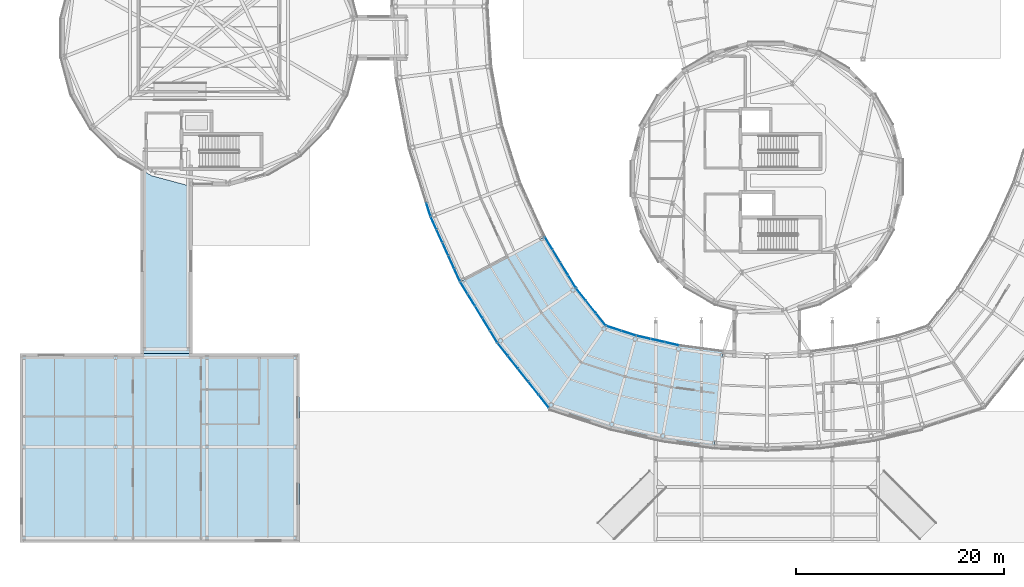
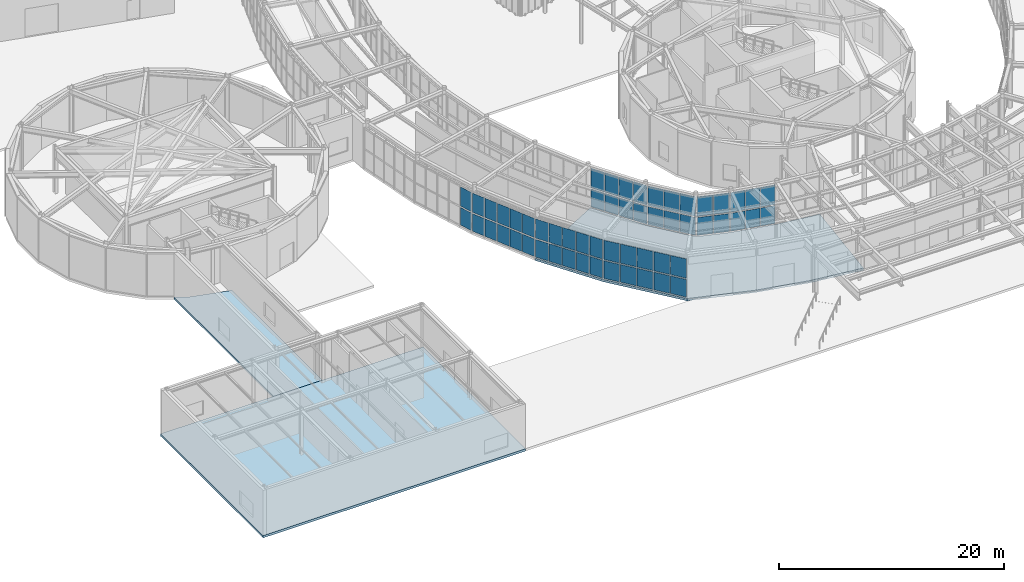
# One storey, part 55 of 97: 56 plates, 3 slabs, 8 elements without a shape of their own.
"""IFC4 building model written with IfcOpenShell, lengths in metres."""

from ifc_helpers import new_model, si_unit, direction, frame, origin, origin_2d, place, context, subcontext, project, spatial, polyline, rectangle, outline, extrude, material, layer, layer_set, type_object, element, aggregate, save


model = new_model("IFC4")

# Units and contexts
model_context = context("Model", 3, precision=1e-05, world=origin(), true_north=direction((0.0, 1.0)))
body_context = subcontext(model_context, "Body", "Model", "MODEL_VIEW")
ifc_project = project(units=[si_unit("LENGTHUNIT", "METRE"), si_unit("AREAUNIT", "SQUARE_METRE"), si_unit("VOLUMEUNIT", "CUBIC_METRE"), si_unit("PLANEANGLEUNIT", "RADIAN"), si_unit("MASSUNIT", "GRAM", prefix="KILO")], contexts=[model_context])

# Site, building, storey
site_placement = place(None, origin())
site = spatial("IfcSite", under=ifc_project, at=site_placement, CompositionType="ELEMENT")
building_placement = place(site_placement, origin())
building = spatial("IfcBuilding", under=site, at=building_placement, Name="Varnklinge Art Gallery", CompositionType="ELEMENT")
storey_placement = place(building_placement, origin())
storey = spatial("IfcBuildingStorey", under=building, at=storey_placement, Name="L00", CompositionType="ELEMENT", Elevation=0.0)

# Curtain wall, plates
ifc_material_1 = material(Name="Anodised Aluminium", Category="aluminium")
curtain_wall_type_1 = type_object("IfcCurtainWallType", Name="CW-R03", PredefinedType="USERDEFINED", material=ifc_material_1)
curtain_wall_1_placement = place(storey_placement, origin())
curtain_wall_1 = element("IfcCurtainWall", 1, at=curtain_wall_1_placement, inside=storey, type_object=curtain_wall_type_1, Name="L00 Curtain Wall CW-V2I-L00-31", ObjectType="UNITISED CURTAIN WALL", PredefinedType="USERDEFINED")
ifc_material_2 = material(Name="Insulated Low-E Triple Glazing", Category="glass")
ifc_layer_1 = layer(ifc_material_2, 0.031982421875)
ifc_layer_set_1 = layer_set([ifc_layer_1], Name="Insulated Low-E Triple Glazing")
plate_type_1 = type_object("IfcPlateType", Name="GLZ-32", PredefinedType="CURTAIN_PANEL", material=ifc_layer_set_1)
plate_1_placement = place(storey_placement, frame((56.740478515625, 28.524658203125, 0.1181640625), z_axis=(0.0, 0.0, 1.0), x_axis=(-0.520860651188, 0.85364171761, 0.0)))
plate_1 = element("IfcPlate", 2, at=plate_1_placement, type_object=plate_type_1, Name="CW-V2I-L00-31 Glazing Panel 1.1", PredefinedType="CURTAIN_PANEL", context=body_context, shape_type="SweptSolid", body=[
    extrude(rectangle(XDim=1.355712890625, YDim=0.031982421875, at=origin_2d()), origin(), (0.0, 0.0, 1.0), 1.950439453125),
])
plate_2_placement = place(storey_placement, frame((56.740478515625, 28.524658203125, 2.1845703125), z_axis=(0.0, 0.0, 1.0), x_axis=(-0.520860651188, 0.85364171761, 0.0)))
plate_2 = element("IfcPlate", 3, at=plate_2_placement, type_object=plate_type_1, Name="CW-V2I-L00-31 Glazing Panel 1.2", PredefinedType="CURTAIN_PANEL", context=body_context, shape_type="SweptSolid", body=[
    extrude(rectangle(XDim=1.355712890625, YDim=0.031982421875, at=origin_2d()), origin(), (0.0, 0.0, 1.0), 2.127685546875),
])
plate_3_placement = place(storey_placement, frame((55.997314453125, 29.742431640625, 0.1181640625), z_axis=(0.0, 0.0, 1.0), x_axis=(-0.520860651188, 0.85364171761, 0.0)))
plate_3 = element("IfcPlate", 4, at=plate_3_placement, type_object=plate_type_1, Name="CW-V2I-L00-31 Glazing Panel 2.1", PredefinedType="CURTAIN_PANEL", context=body_context, shape_type="SweptSolid", body=[
    extrude(rectangle(XDim=1.3857421875, YDim=0.031982421875, at=origin_2d()), origin(), (0.0, 0.0, 1.0), 1.950439453125),
])
plate_4_placement = place(storey_placement, frame((55.997314453125, 29.742431640625, 2.1845703125), z_axis=(0.0, 0.0, 1.0), x_axis=(-0.520860651188, 0.85364171761, 0.0)))
plate_4 = element("IfcPlate", 5, at=plate_4_placement, type_object=plate_type_1, Name="CW-V2I-L00-31 Glazing Panel 2.2", PredefinedType="CURTAIN_PANEL", context=body_context, shape_type="SweptSolid", body=[
    extrude(rectangle(XDim=1.3857421875, YDim=0.031982421875, at=origin_2d()), origin(), (0.0, 0.0, 1.0), 2.127685546875),
])
plate_5_placement = place(storey_placement, frame((55.246337890625, 30.97314453125, 0.1181640625), z_axis=(0.0, 0.0, 1.0), x_axis=(-0.520860651188, 0.85364171761, 0.0)))
plate_5 = element("IfcPlate", 6, at=plate_5_placement, type_object=plate_type_1, Name="CW-V2I-L00-31 Glazing Panel 3.1", PredefinedType="CURTAIN_PANEL", context=body_context, shape_type="SweptSolid", body=[
    extrude(rectangle(XDim=1.3857421875, YDim=0.031982421875, at=origin_2d()), origin(), (0.0, 0.0, 1.0), 1.950439453125),
])
plate_6_placement = place(storey_placement, frame((55.246337890625, 30.97314453125, 2.1845703125), z_axis=(0.0, 0.0, 1.0), x_axis=(-0.520860651188, 0.85364171761, 0.0)))
plate_6 = element("IfcPlate", 7, at=plate_6_placement, type_object=plate_type_1, Name="CW-V2I-L00-31 Glazing Panel 3.2", PredefinedType="CURTAIN_PANEL", context=body_context, shape_type="SweptSolid", body=[
    extrude(rectangle(XDim=1.3857421875, YDim=0.031982421875, at=origin_2d()), origin(), (0.0, 0.0, 1.0), 2.127685546875),
])
plate_7_placement = place(storey_placement, frame((54.503173828125, 32.19091796875, 0.1181640625), z_axis=(0.0, 0.0, 1.0), x_axis=(-0.520860651188, 0.85364171761, 0.0)))
plate_7 = element("IfcPlate", 8, at=plate_7_placement, type_object=plate_type_1, Name="CW-V2I-L00-31 Glazing Panel 4.1", PredefinedType="CURTAIN_PANEL", context=body_context, shape_type="SweptSolid", body=[
    extrude(rectangle(XDim=1.355712890625, YDim=0.031982421875, at=origin_2d()), origin(), (0.0, 0.0, 1.0), 1.950439453125),
])
plate_8_placement = place(storey_placement, frame((54.503173828125, 32.19091796875, 2.1845703125), z_axis=(0.0, 0.0, 1.0), x_axis=(-0.520860651188, 0.85364171761, 0.0)))
plate_8 = element("IfcPlate", 9, at=plate_8_placement, type_object=plate_type_1, Name="CW-V2I-L00-31 Glazing Panel 4.2", PredefinedType="CURTAIN_PANEL", context=body_context, shape_type="SweptSolid", body=[
    extrude(rectangle(XDim=1.355712890625, YDim=0.031982421875, at=origin_2d()), origin(), (0.0, 0.0, 1.0), 2.127685546875),
])
aggregate(curtain_wall_1, [plate_1, plate_2, plate_3, plate_4, plate_5, plate_6, plate_7, plate_8])

curtain_wall_2_placement = place(storey_placement, origin())
curtain_wall_2 = element("IfcCurtainWall", 10, at=curtain_wall_2_placement, inside=storey, type_object=curtain_wall_type_1, Name="L00 Curtain Wall CW-V2I-L00-32", ObjectType="UNITISED CURTAIN WALL", PredefinedType="USERDEFINED")
plate_9_placement = place(storey_placement, frame((59.52294921875, 24.866455078125, 0.1181640625), z_axis=(0.0, 0.0, 1.0), x_axis=(-0.620737354217, 0.784018582101, 0.0)))
plate_9 = element("IfcPlate", 11, at=plate_9_placement, type_object=plate_type_1, Name="CW-V2I-L00-32 Glazing Panel 1.1", PredefinedType="CURTAIN_PANEL", context=body_context, shape_type="SweptSolid", body=[
    extrude(rectangle(XDim=1.4658203125, YDim=0.031982421875, at=origin_2d()), origin(), (0.0, 0.0, 1.0), 1.950439453125),
])
plate_10_placement = place(storey_placement, frame((59.52294921875, 24.866455078125, 2.1845703125), z_axis=(0.0, 0.0, 1.0), x_axis=(-0.620737354217, 0.784018582101, 0.0)))
plate_10 = element("IfcPlate", 12, at=plate_10_placement, type_object=plate_type_1, Name="CW-V2I-L00-32 Glazing Panel 1.2", PredefinedType="CURTAIN_PANEL", context=body_context, shape_type="SweptSolid", body=[
    extrude(rectangle(XDim=1.4658203125, YDim=0.031982421875, at=origin_2d()), origin(), (0.0, 0.0, 1.0), 2.127685546875),
])
plate_11_placement = place(storey_placement, frame((58.569091796875, 26.0712890625, 0.1181640625), z_axis=(0.0, 0.0, 1.0), x_axis=(-0.620737354217, 0.784018582101, 0.0)))
plate_11 = element("IfcPlate", 13, at=plate_11_placement, type_object=plate_type_1, Name="CW-V2I-L00-32 Glazing Panel 2.1", PredefinedType="CURTAIN_PANEL", context=body_context, shape_type="SweptSolid", body=[
    extrude(rectangle(XDim=1.495849609375, YDim=0.031982421875, at=origin_2d()), origin(), (0.0, 0.0, 1.0), 1.950439453125),
])
plate_12_placement = place(storey_placement, frame((58.569091796875, 26.0712890625, 2.1845703125), z_axis=(0.0, 0.0, 1.0), x_axis=(-0.620737354217, 0.784018582101, 0.0)))
plate_12 = element("IfcPlate", 14, at=plate_12_placement, type_object=plate_type_1, Name="CW-V2I-L00-32 Glazing Panel 2.2", PredefinedType="CURTAIN_PANEL", context=body_context, shape_type="SweptSolid", body=[
    extrude(rectangle(XDim=1.495849609375, YDim=0.031982421875, at=origin_2d()), origin(), (0.0, 0.0, 1.0), 2.127685546875),
])
plate_13_placement = place(storey_placement, frame((57.614990234375, 27.2763671875, 0.1181640625), z_axis=(0.0, 0.0, 1.0), x_axis=(-0.620737354217, 0.784018582101, 0.0)))
plate_13 = element("IfcPlate", 15, at=plate_13_placement, type_object=plate_type_1, Name="CW-V2I-L00-32 Glazing Panel 3.1", PredefinedType="CURTAIN_PANEL", context=body_context, shape_type="SweptSolid", body=[
    extrude(rectangle(XDim=1.4658203125, YDim=0.031982421875, at=origin_2d()), origin(), (0.0, 0.0, 1.0), 1.950439453125),
])
plate_14_placement = place(storey_placement, frame((57.614990234375, 27.2763671875, 2.1845703125), z_axis=(0.0, 0.0, 1.0), x_axis=(-0.620737354217, 0.784018582101, 0.0)))
plate_14 = element("IfcPlate", 16, at=plate_14_placement, type_object=plate_type_1, Name="CW-V2I-L00-32 Glazing Panel 3.2", PredefinedType="CURTAIN_PANEL", context=body_context, shape_type="SweptSolid", body=[
    extrude(rectangle(XDim=1.4658203125, YDim=0.031982421875, at=origin_2d()), origin(), (0.0, 0.0, 1.0), 2.127685546875),
])
aggregate(curtain_wall_2, [plate_9, plate_10, plate_11, plate_12, plate_13, plate_14])

curtain_wall_3_placement = place(storey_placement, origin())
curtain_wall_3 = element("IfcCurtainWall", 17, at=curtain_wall_3_placement, inside=storey, type_object=curtain_wall_type_1, Name="L00 Curtain Wall CW-V2I-L00-33", ObjectType="UNITISED CURTAIN WALL", PredefinedType="USERDEFINED")
plate_15_placement = place(storey_placement, frame((62.180419921875, 23.54443359375, 0.1181640625), z_axis=(0.0, 0.0, 1.0), x_axis=(-0.951272019071, 0.30835295642, 0.0)))
plate_15 = element("IfcPlate", 18, at=plate_15_placement, type_object=plate_type_1, Name="CW-V2I-L00-33 Glazing Panel 1.1", PredefinedType="CURTAIN_PANEL", context=body_context, shape_type="SweptSolid", body=[
    extrude(rectangle(XDim=1.442138671875, YDim=0.031982421875, at=origin_2d()), origin(), (0.0, 0.0, 1.0), 1.950439453125),
])
plate_16_placement = place(storey_placement, frame((62.180419921875, 23.54443359375, 2.1845703125), z_axis=(0.0, 0.0, 1.0), x_axis=(-0.951272019071, 0.30835295642, 0.0)))
plate_16 = element("IfcPlate", 19, at=plate_16_placement, type_object=plate_type_1, Name="CW-V2I-L00-33 Glazing Panel 1.2", PredefinedType="CURTAIN_PANEL", context=body_context, shape_type="SweptSolid", body=[
    extrude(rectangle(XDim=1.442138671875, YDim=0.031982421875, at=origin_2d()), origin(), (0.0, 0.0, 1.0), 2.127685546875),
])
plate_17_placement = place(storey_placement, frame((60.755126953125, 24.006103515625, 0.1181640625), z_axis=(0.0, 0.0, 1.0), x_axis=(-0.951272019071, 0.30835295642, 0.0)))
plate_17 = element("IfcPlate", 20, at=plate_17_placement, type_object=plate_type_1, Name="CW-V2I-L00-33 Glazing Panel 2.1", PredefinedType="CURTAIN_PANEL", context=body_context, shape_type="SweptSolid", body=[
    extrude(rectangle(XDim=1.442138671875, YDim=0.031982421875, at=origin_2d()), origin(), (0.0, 0.0, 1.0), 1.950439453125),
])
plate_18_placement = place(storey_placement, frame((60.755126953125, 24.006103515625, 2.1845703125), z_axis=(0.0, 0.0, 1.0), x_axis=(-0.951272019071, 0.30835295642, 0.0)))
plate_18 = element("IfcPlate", 21, at=plate_18_placement, type_object=plate_type_1, Name="CW-V2I-L00-33 Glazing Panel 2.2", PredefinedType="CURTAIN_PANEL", context=body_context, shape_type="SweptSolid", body=[
    extrude(rectangle(XDim=1.442138671875, YDim=0.031982421875, at=origin_2d()), origin(), (0.0, 0.0, 1.0), 2.127685546875),
])
aggregate(curtain_wall_3, [plate_15, plate_16, plate_17, plate_18])

curtain_wall_4_placement = place(storey_placement, origin())
curtain_wall_4 = element("IfcCurtainWall", 22, at=curtain_wall_4_placement, inside=storey, type_object=curtain_wall_type_1, Name="L00 Curtain Wall CW-V2I-L00-34", ObjectType="UNITISED CURTAIN WALL", PredefinedType="USERDEFINED")
plate_19_placement = place(storey_placement, frame((66.35400390625, 22.52294921875, 0.1181640625), z_axis=(0.0, 0.0, 1.0), x_axis=(-0.975071959883, 0.221888875454, 0.0)))
plate_19 = element("IfcPlate", 23, at=plate_19_placement, type_object=plate_type_1, Name="CW-V2I-L00-34 Glazing Panel 1.1", PredefinedType="CURTAIN_PANEL", context=body_context, shape_type="SweptSolid", body=[
    extrude(rectangle(XDim=1.328125, YDim=0.031982421875, at=origin_2d()), origin(), (0.0, 0.0, 1.0), 1.950439453125),
])
plate_20_placement = place(storey_placement, frame((66.35400390625, 22.52294921875, 2.1845703125), z_axis=(0.0, 0.0, 1.0), x_axis=(-0.975071959883, 0.221888875454, 0.0)))
plate_20 = element("IfcPlate", 24, at=plate_20_placement, type_object=plate_type_1, Name="CW-V2I-L00-34 Glazing Panel 1.2", PredefinedType="CURTAIN_PANEL", context=body_context, shape_type="SweptSolid", body=[
    extrude(rectangle(XDim=1.328125, YDim=0.031982421875, at=origin_2d()), origin(), (0.0, 0.0, 1.0), 2.127685546875),
])
plate_21_placement = place(storey_placement, frame((64.989501953125, 22.83349609375, 0.1181640625), z_axis=(0.0, 0.0, 1.0), x_axis=(-0.975071959883, 0.221888875454, 0.0)))
plate_21 = element("IfcPlate", 25, at=plate_21_placement, type_object=plate_type_1, Name="CW-V2I-L00-34 Glazing Panel 2.1", PredefinedType="CURTAIN_PANEL", context=body_context, shape_type="SweptSolid", body=[
    extrude(rectangle(XDim=1.358154296875, YDim=0.031982421875, at=origin_2d()), origin(), (0.0, 0.0, 1.0), 1.950439453125),
])
plate_22_placement = place(storey_placement, frame((64.989501953125, 22.83349609375, 2.1845703125), z_axis=(0.0, 0.0, 1.0), x_axis=(-0.975071959883, 0.221888875454, 0.0)))
plate_22 = element("IfcPlate", 26, at=plate_22_placement, type_object=plate_type_1, Name="CW-V2I-L00-34 Glazing Panel 2.2", PredefinedType="CURTAIN_PANEL", context=body_context, shape_type="SweptSolid", body=[
    extrude(rectangle(XDim=1.358154296875, YDim=0.031982421875, at=origin_2d()), origin(), (0.0, 0.0, 1.0), 2.127685546875),
])
plate_23_placement = place(storey_placement, frame((63.62548828125, 23.143798828125, 0.1181640625), z_axis=(0.0, 0.0, 1.0), x_axis=(-0.975071959883, 0.221888875454, 0.0)))
plate_23 = element("IfcPlate", 27, at=plate_23_placement, type_object=plate_type_1, Name="CW-V2I-L00-34 Glazing Panel 3.1", PredefinedType="CURTAIN_PANEL", context=body_context, shape_type="SweptSolid", body=[
    extrude(rectangle(XDim=1.328125, YDim=0.031982421875, at=origin_2d()), origin(), (0.0, 0.0, 1.0), 1.950439453125),
])
plate_24_placement = place(storey_placement, frame((63.62548828125, 23.143798828125, 2.1845703125), z_axis=(0.0, 0.0, 1.0), x_axis=(-0.975071959883, 0.221888875454, 0.0)))
plate_24 = element("IfcPlate", 28, at=plate_24_placement, type_object=plate_type_1, Name="CW-V2I-L00-34 Glazing Panel 3.2", PredefinedType="CURTAIN_PANEL", context=body_context, shape_type="SweptSolid", body=[
    extrude(rectangle(XDim=1.328125, YDim=0.031982421875, at=origin_2d()), origin(), (0.0, 0.0, 1.0), 2.127685546875),
])
aggregate(curtain_wall_4, [plate_19, plate_20, plate_21, plate_22, plate_23, plate_24])

ifc_material_3 = material(Name="Anodised Aluminium", Category="aluminium")
curtain_wall_type_2 = type_object("IfcCurtainWallType", Name="CW-R01", PredefinedType="USERDEFINED", material=ifc_material_3)
curtain_wall_5_placement = place(storey_placement, origin())
curtain_wall_5 = element("IfcCurtainWall", 29, at=curtain_wall_5_placement, inside=storey, type_object=curtain_wall_type_2, Name="L00 Curtain Wall CW-V2O-L00-29", ObjectType="UNITISED CURTAIN WALL", PredefinedType="USERDEFINED")
ifc_material_4 = material(Name="Insulated Low-E Triple Glazing", Category="glass")
ifc_layer_2 = layer(ifc_material_4, 0.0380859375)
ifc_layer_set_2 = layer_set([ifc_layer_2], Name="Insulated Low-E Triple Glazing")
plate_type_2 = type_object("IfcPlateType", Name="GLZ-38", PredefinedType="CURTAIN_PANEL", material=ifc_layer_set_2)
plate_25_placement = place(storey_placement, frame((42.915283203125, 35.450439453125, 0.14794921875), z_axis=(0.0, 0.0, 1.0), x_axis=(0.299706904751, -0.954031326134, 0.0)))
plate_25 = element("IfcPlate", 30, at=plate_25_placement, type_object=plate_type_2, Name="CW-V2O-L00-29 Glazing Panel 5.1", PredefinedType="CURTAIN_PANEL", context=body_context, shape_type="SweptSolid", body=[
    extrude(rectangle(XDim=1.2841796875, YDim=0.0380859375, at=origin_2d()), origin(), (0.0, 0.0, 1.0), 1.905517578125),
])
plate_26_placement = place(storey_placement, frame((42.915283203125, 35.450439453125, 2.199462890625), z_axis=(0.0, 0.0, 1.0), x_axis=(0.299706904751, -0.954031326134, 0.0)))
plate_26 = element("IfcPlate", 31, at=plate_26_placement, type_object=plate_type_2, Name="CW-V2O-L00-29 Glazing Panel 5.2", PredefinedType="CURTAIN_PANEL", context=body_context, shape_type="SweptSolid", body=[
    extrude(rectangle(XDim=1.2841796875, YDim=0.0380859375, at=origin_2d()), origin(), (0.0, 0.0, 1.0), 2.08251953125),
])
aggregate(curtain_wall_5, [plate_25, plate_26])

curtain_wall_6_placement = place(storey_placement, origin())
curtain_wall_6 = element("IfcCurtainWall", 32, at=curtain_wall_6_placement, inside=storey, type_object=curtain_wall_type_2, Name="L00 Curtain Wall CW-V2O-L00-30", ObjectType="UNITISED CURTAIN WALL", PredefinedType="USERDEFINED")
plate_27_placement = place(storey_placement, frame((43.418212890625, 34.1357421875, 0.14794921875), z_axis=(0.0, 0.0, 1.0), x_axis=(0.413422293217, -0.910539404678, 0.0)))
plate_27 = element("IfcPlate", 33, at=plate_27_placement, type_object=plate_type_2, Name="CW-V2O-L00-30 Glazing Panel 1.1", PredefinedType="CURTAIN_PANEL", context=body_context, shape_type="SweptSolid", body=[
    extrude(rectangle(XDim=1.2841796875, YDim=0.0380859375, at=origin_2d()), origin(), (0.0, 0.0, 1.0), 1.905517578125),
])
plate_28_placement = place(storey_placement, frame((43.418212890625, 34.1357421875, 2.199462890625), z_axis=(0.0, 0.0, 1.0), x_axis=(0.413422293217, -0.910539404678, 0.0)))
plate_28 = element("IfcPlate", 34, at=plate_28_placement, type_object=plate_type_2, Name="CW-V2O-L00-30 Glazing Panel 1.2", PredefinedType="CURTAIN_PANEL", context=body_context, shape_type="SweptSolid", body=[
    extrude(rectangle(XDim=1.2841796875, YDim=0.0380859375, at=origin_2d()), origin(), (0.0, 0.0, 1.0), 2.08251953125),
])
plate_29_placement = place(storey_placement, frame((43.98095703125, 32.89599609375, 0.14794921875), z_axis=(0.0, 0.0, 1.0), x_axis=(0.413422293217, -0.910539404678, 0.0)))
plate_29 = element("IfcPlate", 35, at=plate_29_placement, type_object=plate_type_2, Name="CW-V2O-L00-30 Glazing Panel 2.1", PredefinedType="CURTAIN_PANEL", context=body_context, shape_type="SweptSolid", body=[
    extrude(rectangle(XDim=1.31689453125, YDim=0.0380859375, at=origin_2d()), origin(), (0.0, 0.0, 1.0), 1.905517578125),
])
plate_30_placement = place(storey_placement, frame((43.98095703125, 32.89599609375, 2.199462890625), z_axis=(0.0, 0.0, 1.0), x_axis=(0.413422293217, -0.910539404678, 0.0)))
plate_30 = element("IfcPlate", 36, at=plate_30_placement, type_object=plate_type_2, Name="CW-V2O-L00-30 Glazing Panel 2.2", PredefinedType="CURTAIN_PANEL", context=body_context, shape_type="SweptSolid", body=[
    extrude(rectangle(XDim=1.31689453125, YDim=0.0380859375, at=origin_2d()), origin(), (0.0, 0.0, 1.0), 2.08251953125),
])
plate_31_placement = place(storey_placement, frame((44.550537109375, 31.6416015625, 0.14794921875), z_axis=(0.0, 0.0, 1.0), x_axis=(0.413422293217, -0.910539404678, 0.0)))
plate_31 = element("IfcPlate", 37, at=plate_31_placement, type_object=plate_type_2, Name="CW-V2O-L00-30 Glazing Panel 3.1", PredefinedType="CURTAIN_PANEL", context=body_context, shape_type="SweptSolid", body=[
    extrude(rectangle(XDim=1.31689453125, YDim=0.0380859375, at=origin_2d()), origin(), (0.0, 0.0, 1.0), 1.905517578125),
])
plate_32_placement = place(storey_placement, frame((44.550537109375, 31.6416015625, 2.199462890625), z_axis=(0.0, 0.0, 1.0), x_axis=(0.413422293217, -0.910539404678, 0.0)))
plate_32 = element("IfcPlate", 38, at=plate_32_placement, type_object=plate_type_2, Name="CW-V2O-L00-30 Glazing Panel 3.2", PredefinedType="CURTAIN_PANEL", context=body_context, shape_type="SweptSolid", body=[
    extrude(rectangle(XDim=1.31689453125, YDim=0.0380859375, at=origin_2d()), origin(), (0.0, 0.0, 1.0), 2.08251953125),
])
plate_33_placement = place(storey_placement, frame((45.1201171875, 30.386962890625, 0.14794921875), z_axis=(0.0, 0.0, 1.0), x_axis=(0.413422293217, -0.910539404678, 0.0)))
plate_33 = element("IfcPlate", 39, at=plate_33_placement, type_object=plate_type_2, Name="CW-V2O-L00-30 Glazing Panel 4.1", PredefinedType="CURTAIN_PANEL", context=body_context, shape_type="SweptSolid", body=[
    extrude(rectangle(XDim=1.31689453125, YDim=0.0380859375, at=origin_2d()), origin(), (0.0, 0.0, 1.0), 1.905517578125),
])
plate_34_placement = place(storey_placement, frame((45.1201171875, 30.386962890625, 2.199462890625), z_axis=(0.0, 0.0, 1.0), x_axis=(0.413422293217, -0.910539404678, 0.0)))
plate_34 = element("IfcPlate", 40, at=plate_34_placement, type_object=plate_type_2, Name="CW-V2O-L00-30 Glazing Panel 4.2", PredefinedType="CURTAIN_PANEL", context=body_context, shape_type="SweptSolid", body=[
    extrude(rectangle(XDim=1.31689453125, YDim=0.0380859375, at=origin_2d()), origin(), (0.0, 0.0, 1.0), 2.08251953125),
])
plate_35_placement = place(storey_placement, frame((45.68310546875, 29.147216796875, 0.14794921875), z_axis=(0.0, 0.0, 1.0), x_axis=(0.413422293217, -0.910539404678, 0.0)))
plate_35 = element("IfcPlate", 41, at=plate_35_placement, type_object=plate_type_2, Name="CW-V2O-L00-30 Glazing Panel 5.1", PredefinedType="CURTAIN_PANEL", context=body_context, shape_type="SweptSolid", body=[
    extrude(rectangle(XDim=1.2841796875, YDim=0.0380859375, at=origin_2d()), origin(), (0.0, 0.0, 1.0), 1.905517578125),
])
plate_36_placement = place(storey_placement, frame((45.68310546875, 29.147216796875, 2.199462890625), z_axis=(0.0, 0.0, 1.0), x_axis=(0.413422293217, -0.910539404678, 0.0)))
plate_36 = element("IfcPlate", 42, at=plate_36_placement, type_object=plate_type_2, Name="CW-V2O-L00-30 Glazing Panel 5.2", PredefinedType="CURTAIN_PANEL", context=body_context, shape_type="SweptSolid", body=[
    extrude(rectangle(XDim=1.2841796875, YDim=0.0380859375, at=origin_2d()), origin(), (0.0, 0.0, 1.0), 2.08251953125),
])
aggregate(curtain_wall_6, [plate_27, plate_28, plate_29, plate_30, plate_31, plate_32, plate_33, plate_34, plate_35, plate_36])

curtain_wall_7_placement = place(storey_placement, origin())
curtain_wall_7 = element("IfcCurtainWall", 43, at=curtain_wall_7_placement, inside=storey, type_object=curtain_wall_type_2, Name="L00 Curtain Wall CW-V2O-L00-31", ObjectType="UNITISED CURTAIN WALL", PredefinedType="USERDEFINED")
plate_37_placement = place(storey_placement, frame((46.341796875, 27.9033203125, 0.14794921875), z_axis=(0.0, 0.0, 1.0), x_axis=(0.520860651188, -0.85364171761, 0.0)))
plate_37 = element("IfcPlate", 44, at=plate_37_placement, type_object=plate_type_2, Name="CW-V2O-L00-31 Glazing Panel 1.1", PredefinedType="CURTAIN_PANEL", context=body_context, shape_type="SweptSolid", body=[
    extrude(rectangle(XDim=1.2841796875, YDim=0.0380859375, at=origin_2d()), origin(), (0.0, 0.0, 1.0), 1.905517578125),
])
plate_38_placement = place(storey_placement, frame((46.341796875, 27.9033203125, 2.199462890625), z_axis=(0.0, 0.0, 1.0), x_axis=(0.520860651188, -0.85364171761, 0.0)))
plate_38 = element("IfcPlate", 45, at=plate_38_placement, type_object=plate_type_2, Name="CW-V2O-L00-31 Glazing Panel 1.2", PredefinedType="CURTAIN_PANEL", context=body_context, shape_type="SweptSolid", body=[
    extrude(rectangle(XDim=1.2841796875, YDim=0.0380859375, at=origin_2d()), origin(), (0.0, 0.0, 1.0), 2.08251953125),
])
plate_39_placement = place(storey_placement, frame((47.051025390625, 26.7412109375, 0.14794921875), z_axis=(0.0, 0.0, 1.0), x_axis=(0.520860651188, -0.85364171761, 0.0)))
plate_39 = element("IfcPlate", 46, at=plate_39_placement, type_object=plate_type_2, Name="CW-V2O-L00-31 Glazing Panel 2.1", PredefinedType="CURTAIN_PANEL", context=body_context, shape_type="SweptSolid", body=[
    extrude(rectangle(XDim=1.316650390625, YDim=0.0380859375, at=origin_2d()), origin(), (0.0, 0.0, 1.0), 1.905517578125),
])
plate_40_placement = place(storey_placement, frame((47.051025390625, 26.7412109375, 2.199462890625), z_axis=(0.0, 0.0, 1.0), x_axis=(0.520860651188, -0.85364171761, 0.0)))
plate_40 = element("IfcPlate", 47, at=plate_40_placement, type_object=plate_type_2, Name="CW-V2O-L00-31 Glazing Panel 2.2", PredefinedType="CURTAIN_PANEL", context=body_context, shape_type="SweptSolid", body=[
    extrude(rectangle(XDim=1.316650390625, YDim=0.0380859375, at=origin_2d()), origin(), (0.0, 0.0, 1.0), 2.08251953125),
])
plate_41_placement = place(storey_placement, frame((47.768798828125, 25.565185546875, 0.14794921875), z_axis=(0.0, 0.0, 1.0), x_axis=(0.520860651188, -0.85364171761, 0.0)))
plate_41 = element("IfcPlate", 48, at=plate_41_placement, type_object=plate_type_2, Name="CW-V2O-L00-31 Glazing Panel 3.1", PredefinedType="CURTAIN_PANEL", context=body_context, shape_type="SweptSolid", body=[
    extrude(rectangle(XDim=1.316650390625, YDim=0.0380859375, at=origin_2d()), origin(), (0.0, 0.0, 1.0), 1.905517578125),
])
plate_42_placement = place(storey_placement, frame((47.768798828125, 25.565185546875, 2.199462890625), z_axis=(0.0, 0.0, 1.0), x_axis=(0.520860651188, -0.85364171761, 0.0)))
plate_42 = element("IfcPlate", 49, at=plate_42_placement, type_object=plate_type_2, Name="CW-V2O-L00-31 Glazing Panel 3.2", PredefinedType="CURTAIN_PANEL", context=body_context, shape_type="SweptSolid", body=[
    extrude(rectangle(XDim=1.316650390625, YDim=0.0380859375, at=origin_2d()), origin(), (0.0, 0.0, 1.0), 2.08251953125),
])
plate_43_placement = place(storey_placement, frame((48.486572265625, 24.38916015625, 0.14794921875), z_axis=(0.0, 0.0, 1.0), x_axis=(0.520860651188, -0.85364171761, 0.0)))
plate_43 = element("IfcPlate", 50, at=plate_43_placement, type_object=plate_type_2, Name="CW-V2O-L00-31 Glazing Panel 4.1", PredefinedType="CURTAIN_PANEL", context=body_context, shape_type="SweptSolid", body=[
    extrude(rectangle(XDim=1.316650390625, YDim=0.0380859375, at=origin_2d()), origin(), (0.0, 0.0, 1.0), 1.905517578125),
])
plate_44_placement = place(storey_placement, frame((48.486572265625, 24.38916015625, 2.199462890625), z_axis=(0.0, 0.0, 1.0), x_axis=(0.520860651188, -0.85364171761, 0.0)))
plate_44 = element("IfcPlate", 51, at=plate_44_placement, type_object=plate_type_2, Name="CW-V2O-L00-31 Glazing Panel 4.2", PredefinedType="CURTAIN_PANEL", context=body_context, shape_type="SweptSolid", body=[
    extrude(rectangle(XDim=1.316650390625, YDim=0.0380859375, at=origin_2d()), origin(), (0.0, 0.0, 1.0), 2.08251953125),
])
plate_45_placement = place(storey_placement, frame((49.19580078125, 23.226806640625, 0.14794921875), z_axis=(0.0, 0.0, 1.0), x_axis=(0.520860651188, -0.85364171761, 0.0)))
plate_45 = element("IfcPlate", 52, at=plate_45_placement, type_object=plate_type_2, Name="CW-V2O-L00-31 Glazing Panel 5.1", PredefinedType="CURTAIN_PANEL", context=body_context, shape_type="SweptSolid", body=[
    extrude(rectangle(XDim=1.2841796875, YDim=0.0380859375, at=origin_2d()), origin(), (0.0, 0.0, 1.0), 1.905517578125),
])
plate_46_placement = place(storey_placement, frame((49.19580078125, 23.226806640625, 2.199462890625), z_axis=(0.0, 0.0, 1.0), x_axis=(0.520860651188, -0.85364171761, 0.0)))
plate_46 = element("IfcPlate", 53, at=plate_46_placement, type_object=plate_type_2, Name="CW-V2O-L00-31 Glazing Panel 5.2", PredefinedType="CURTAIN_PANEL", context=body_context, shape_type="SweptSolid", body=[
    extrude(rectangle(XDim=1.2841796875, YDim=0.0380859375, at=origin_2d()), origin(), (0.0, 0.0, 1.0), 2.08251953125),
])
aggregate(curtain_wall_7, [plate_37, plate_38, plate_39, plate_40, plate_41, plate_42, plate_43, plate_44, plate_45, plate_46])

curtain_wall_8_placement = place(storey_placement, origin())
curtain_wall_8 = element("IfcCurtainWall", 54, at=curtain_wall_8_placement, inside=storey, type_object=curtain_wall_type_2, Name="L00 Curtain Wall CW-V2O-L00-32", ObjectType="UNITISED CURTAIN WALL", PredefinedType="USERDEFINED")
plate_47_placement = place(storey_placement, frame((50.069580078125, 21.985107421875, 0.14794921875), z_axis=(0.0, 0.0, 1.0), x_axis=(0.620737354217, -0.784018582101, 0.0)))
plate_47 = element("IfcPlate", 55, at=plate_47_placement, type_object=plate_type_2, Name="CW-V2O-L00-32 Glazing Panel 1.1", PredefinedType="CURTAIN_PANEL", context=body_context, shape_type="SweptSolid", body=[
    extrude(rectangle(XDim=1.506591796875, YDim=0.0380859375, at=origin_2d()), origin(), (0.0, 0.0, 1.0), 1.905517578125),
])
plate_48_placement = place(storey_placement, frame((50.069580078125, 21.985107421875, 2.199462890625), z_axis=(0.0, 0.0, 1.0), x_axis=(0.620737354217, -0.784018582101, 0.0)))
plate_48 = element("IfcPlate", 56, at=plate_48_placement, type_object=plate_type_2, Name="CW-V2O-L00-32 Glazing Panel 1.2", PredefinedType="CURTAIN_PANEL", context=body_context, shape_type="SweptSolid", body=[
    extrude(rectangle(XDim=1.506591796875, YDim=0.0380859375, at=origin_2d()), origin(), (0.0, 0.0, 1.0), 2.08251953125),
])
plate_49_placement = place(storey_placement, frame((51.052978515625, 20.743408203125, 0.14794921875), z_axis=(0.0, 0.0, 1.0), x_axis=(0.620737354217, -0.784018582101, 0.0)))
plate_49 = element("IfcPlate", 57, at=plate_49_placement, type_object=plate_type_2, Name="CW-V2O-L00-32 Glazing Panel 2.1", PredefinedType="CURTAIN_PANEL", context=body_context, shape_type="SweptSolid", body=[
    extrude(rectangle(XDim=1.5390625, YDim=0.0380859375, at=origin_2d()), origin(), (0.0, 0.0, 1.0), 1.905517578125),
])
plate_50_placement = place(storey_placement, frame((51.052978515625, 20.743408203125, 2.199462890625), z_axis=(0.0, 0.0, 1.0), x_axis=(0.620737354217, -0.784018582101, 0.0)))
plate_50 = element("IfcPlate", 58, at=plate_50_placement, type_object=plate_type_2, Name="CW-V2O-L00-32 Glazing Panel 2.2", PredefinedType="CURTAIN_PANEL", context=body_context, shape_type="SweptSolid", body=[
    extrude(rectangle(XDim=1.5390625, YDim=0.0380859375, at=origin_2d()), origin(), (0.0, 0.0, 1.0), 2.08251953125),
])
plate_51_placement = place(storey_placement, frame((52.046142578125, 19.489013671875, 0.14794921875), z_axis=(0.0, 0.0, 1.0), x_axis=(0.620737354217, -0.784018582101, 0.0)))
plate_51 = element("IfcPlate", 59, at=plate_51_placement, type_object=plate_type_2, Name="CW-V2O-L00-32 Glazing Panel 3.1", PredefinedType="CURTAIN_PANEL", context=body_context, shape_type="SweptSolid", body=[
    extrude(rectangle(XDim=1.5390625, YDim=0.0380859375, at=origin_2d()), origin(), (0.0, 0.0, 1.0), 1.905517578125),
])
plate_52_placement = place(storey_placement, frame((52.046142578125, 19.489013671875, 2.199462890625), z_axis=(0.0, 0.0, 1.0), x_axis=(0.620737354217, -0.784018582101, 0.0)))
plate_52 = element("IfcPlate", 60, at=plate_52_placement, type_object=plate_type_2, Name="CW-V2O-L00-32 Glazing Panel 3.2", PredefinedType="CURTAIN_PANEL", context=body_context, shape_type="SweptSolid", body=[
    extrude(rectangle(XDim=1.5390625, YDim=0.0380859375, at=origin_2d()), origin(), (0.0, 0.0, 1.0), 2.08251953125),
])
plate_53_placement = place(storey_placement, frame((53.03955078125, 18.234619140625, 0.14794921875), z_axis=(0.0, 0.0, 1.0), x_axis=(0.620737354217, -0.784018582101, 0.0)))
plate_53 = element("IfcPlate", 61, at=plate_53_placement, type_object=plate_type_2, Name="CW-V2O-L00-32 Glazing Panel 4.1", PredefinedType="CURTAIN_PANEL", context=body_context, shape_type="SweptSolid", body=[
    extrude(rectangle(XDim=1.5390625, YDim=0.0380859375, at=origin_2d()), origin(), (0.0, 0.0, 1.0), 1.905517578125),
])
plate_54_placement = place(storey_placement, frame((53.03955078125, 18.234619140625, 2.199462890625), z_axis=(0.0, 0.0, 1.0), x_axis=(0.620737354217, -0.784018582101, 0.0)))
plate_54 = element("IfcPlate", 62, at=plate_54_placement, type_object=plate_type_2, Name="CW-V2O-L00-32 Glazing Panel 4.2", PredefinedType="CURTAIN_PANEL", context=body_context, shape_type="SweptSolid", body=[
    extrude(rectangle(XDim=1.5390625, YDim=0.0380859375, at=origin_2d()), origin(), (0.0, 0.0, 1.0), 2.08251953125),
])
plate_55_placement = place(storey_placement, frame((54.022705078125, 16.992919921875, 0.14794921875), z_axis=(0.0, 0.0, 1.0), x_axis=(0.620737354217, -0.784018582101, 0.0)))
plate_55 = element("IfcPlate", 63, at=plate_55_placement, type_object=plate_type_2, Name="CW-V2O-L00-32 Glazing Panel 5.1", PredefinedType="CURTAIN_PANEL", context=body_context, shape_type="SweptSolid", body=[
    extrude(rectangle(XDim=1.506591796875, YDim=0.0380859375, at=origin_2d()), origin(), (0.0, 0.0, 1.0), 1.905517578125),
])
plate_56_placement = place(storey_placement, frame((54.022705078125, 16.992919921875, 2.199462890625), z_axis=(0.0, 0.0, 1.0), x_axis=(0.620737354217, -0.784018582101, 0.0)))
plate_56 = element("IfcPlate", 64, at=plate_56_placement, type_object=plate_type_2, Name="CW-V2O-L00-32 Glazing Panel 5.2", PredefinedType="CURTAIN_PANEL", context=body_context, shape_type="SweptSolid", body=[
    extrude(rectangle(XDim=1.506591796875, YDim=0.0380859375, at=origin_2d()), origin(), (0.0, 0.0, 1.0), 2.08251953125),
])
aggregate(curtain_wall_8, [plate_47, plate_48, plate_49, plate_50, plate_51, plate_52, plate_53, plate_54, plate_55, plate_56])

# Slabs
ifc_material_5 = material(Name="Concrete C35/45", Category="concrete")
ifc_layer_3 = layer(ifc_material_5, 0.219970703125)
ifc_layer_set_3 = layer_set([ifc_layer_3], Name="Concrete C35/45")
slab_type_1 = type_object("IfcSlabType", Name="SLB-F22", PredefinedType="FLOOR", material=ifc_layer_set_3)
slab_1_placement = place(storey_placement, frame((0.0, 0.0, -0.219970703125)))
element("IfcSlab", 65, at=slab_1_placement, inside=storey, type_object=slab_type_1, Name="L00 LNK-SW Gallery Link Slab", PredefinedType="FLOOR", context=body_context, shape_type="SweptSolid", body=[
    extrude(outline(polyline([(20.199951171875, 37.72314453125), (19.92041015625, 37.72314453125), (16.289306640625, 38.696044921875), (15.199951171875, 39.3251953125), (15.199951171875, 21.60009765625), (20.199951171875, 21.60009765625), (20.199951171875, 37.72314453125)])), origin(), (0.0, 0.0, 1.0), 0.219970703125),
])
ifc_material_6 = material(Name="Concrete C35/45", Category="concrete")
ifc_layer_4 = layer(ifc_material_6, 0.25)
ifc_layer_set_4 = layer_set([ifc_layer_4], Name="Concrete C35/45")
slab_type_2 = type_object("IfcSlabType", Name="SLB-F25", PredefinedType="FLOOR", material=ifc_layer_set_4)
slab_2_placement = place(storey_placement, frame((0.0, 0.0, -0.25)))
element("IfcSlab", 66, at=slab_2_placement, inside=storey, type_object=slab_type_2, Name="L00 Curved Gallery Ring Sector 7", PredefinedType="FLOOR", context=body_context, shape_type="SweptSolid", body=[
    extrude(outline(polyline([(49.56298828125, 22.625), (54.529296875, 16.352783203125), (60.477294921875, 14.42529296875), (65.41748046875, 13.300537109375), (70.4384765625, 12.6220703125), (71.261962890625, 21.79443359375), (67.057861328125, 22.362548828125), (62.92138671875, 23.30419921875), (60.013916015625, 24.246337890625), (57.1240234375, 27.896484375), (54.11962890625, 32.819091796875), (45.974609375, 28.505126953125), (49.56298828125, 22.625)])), origin(), (0.0, 0.0, 1.0), 0.25),
])
slab_3_placement = place(storey_placement, frame((0.0, 0.0, -0.25)))
element("IfcSlab", 67, at=slab_3_placement, inside=storey, type_object=slab_type_2, Name="L00 SW Cafe and Bookshop Pavilion Slab", PredefinedType="FLOOR", context=body_context, shape_type="SweptSolid", body=[
    extrude(outline(polyline([(30.5, 3.39990234375), (30.5, 21.60009765625), (3.60009765625, 21.60009765625), (3.60009765625, 3.39990234375), (30.5, 3.39990234375)])), origin(), (0.0, 0.0, 1.0), 0.25),
])

save(model, "model.ifc")
